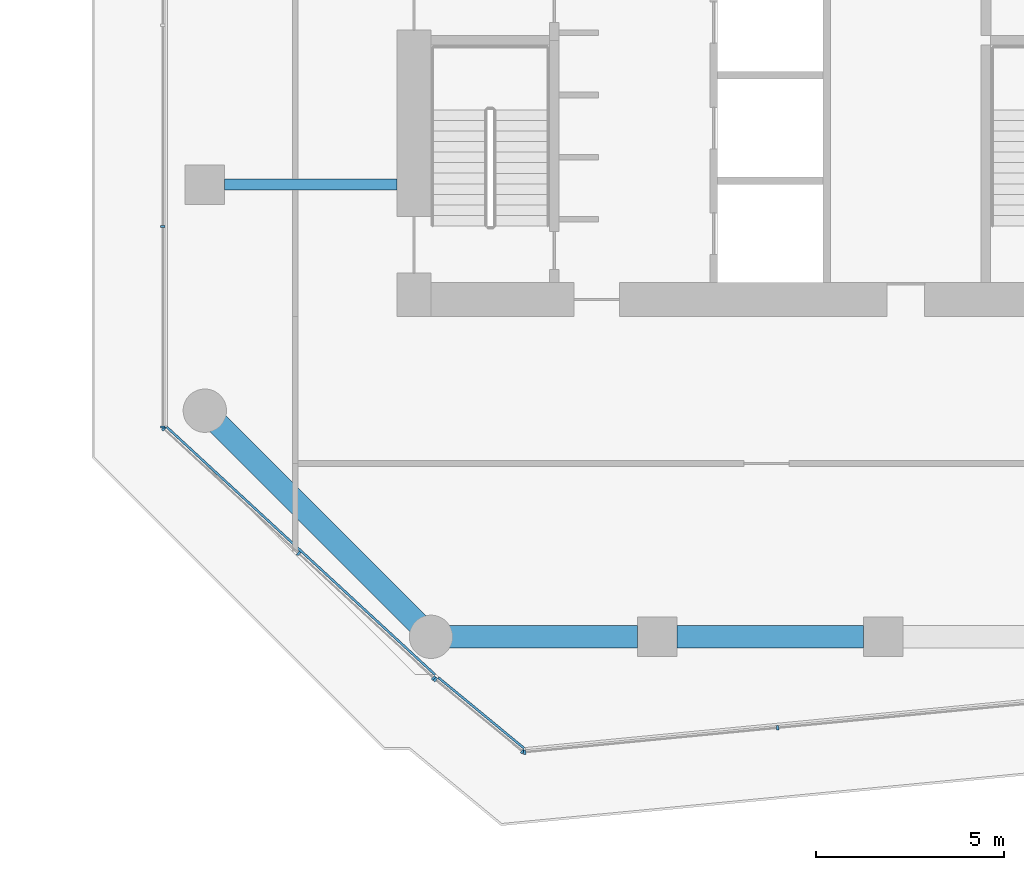
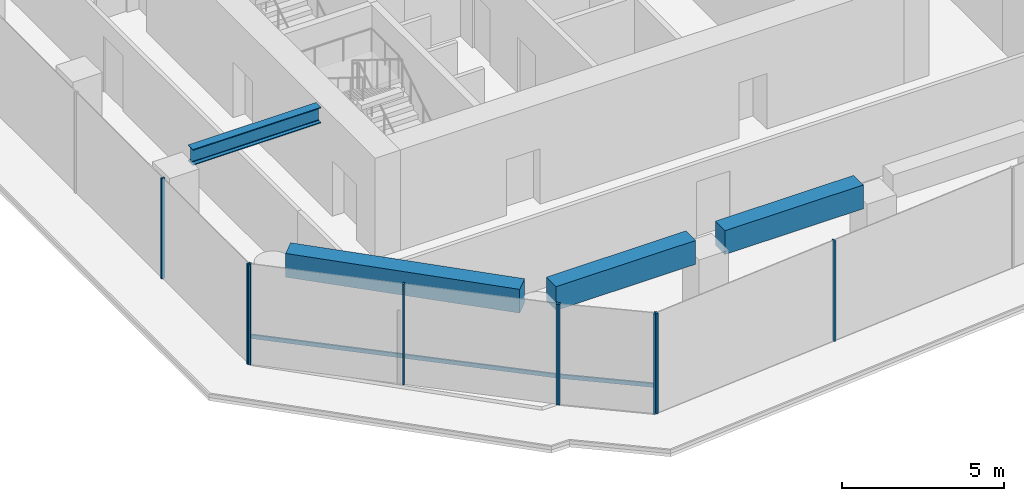
# One storey, part 2 of 30: 11 members, 4 beams, 4 elements without a shape of their own.
"""IFC4 building model written with IfcOpenShell, lengths in metres."""

from ifc_helpers import new_model, si_unit, direction, frame, origin, origin_2d, place, context, subcontext, project, spatial, rectangle, i_section, extrude, material, layer, layer_set, material_profile, profile_set, type_object, element, aggregate, save


model = new_model("IFC4")

# Units and contexts
model_context = context("Model", 3, precision=1e-05, world=origin(), true_north=direction((0.0, 1.0)))
body_context = subcontext(model_context, "Body", "Model", "MODEL_VIEW")
ifc_project = project(units=[si_unit("LENGTHUNIT", "METRE"), si_unit("AREAUNIT", "SQUARE_METRE"), si_unit("VOLUMEUNIT", "CUBIC_METRE"), si_unit("PLANEANGLEUNIT", "RADIAN"), si_unit("MASSUNIT", "GRAM", prefix="KILO")], contexts=[model_context])

# Site, building, storey
site_placement = place(None, origin())
site = spatial("IfcSite", under=ifc_project, at=site_placement, CompositionType="ELEMENT")
building_placement = place(site_placement, origin())
building = spatial("IfcBuilding", under=site, at=building_placement, Name="Welwitschia Terrace Campus", CompositionType="ELEMENT")
storey_placement = place(building_placement, frame((0.0, 0.0, 75.199951171875)))
storey = spatial("IfcBuildingStorey", under=building, at=storey_placement, Name="L17", CompositionType="ELEMENT", Elevation=75.199951171875)

# Curtain wall, members
ifc_material_1 = material(Name="Bronze anodised aluminium", Category="aluminium")
ifc_layer = layer(ifc_material_1, 0.1201171875)
ifc_layer_set = layer_set([ifc_layer], Name="Bronze anodised aluminium")
curtain_wall_type = type_object("IfcCurtainWallType", Name="Curtain wall CW2 tower 6000", PredefinedType="NOTDEFINED", material=ifc_layer_set)
curtain_wall_1_placement = place(storey_placement, origin())
curtain_wall_1 = element("IfcCurtainWall", 1, at=curtain_wall_1_placement, inside=storey, type_object=curtain_wall_type, Name="CW L17.0.0", PredefinedType="NOTDEFINED")
ifc_material_2 = material(Name="Bronze anodised aluminium", Category="aluminium")
ifc_material_profile_1 = material_profile(ifc_material_2, rectangle(XDim=0.1201171875, YDim=0.06005859375, at=origin_2d()))
ifc_profile_set_1 = profile_set([ifc_material_profile_1], Name="Bronze anodised aluminium")
member_type_1 = type_object("IfcMemberType", Name="Mullion 60x120", PredefinedType="MULLION", material=ifc_profile_set_1)
member_1_placement = place(storey_placement, frame((-1.092041015625, 1.518310546875, 0.0), z_axis=(0.0, 0.0, 1.0), x_axis=(0.678224980128, 0.734854323203, 0.0)))
member_1 = element("IfcMember", 2, at=member_1_placement, type_object=member_type_1, Name="Mullion L17.0.0.0", PredefinedType="MULLION", context=body_context, shape_type="SweptSolid", body=[
    extrude(rectangle(XDim=0.1201171875, YDim=0.06005859375, at=origin_2d()), origin(), (0.0, 0.0, 1.0), 3.800048828125),
])
member_2_placement = place(storey_placement, frame((2.489990234375, -1.78759765625, 0.0), z_axis=(0.0, 0.0, 1.0), x_axis=(0.678224980128, 0.734854323203, 0.0)))
member_2 = element("IfcMember", 3, at=member_2_placement, type_object=member_type_1, Name="Mullion L17.0.0.1", PredefinedType="MULLION", context=body_context, shape_type="SweptSolid", body=[
    extrude(rectangle(XDim=0.1201171875, YDim=0.06005859375, at=origin_2d()), origin(), (0.0, 0.0, 1.0), 3.800048828125),
])
member_3_placement = place(storey_placement, frame((6.072021484375, -5.09375, 0.0), z_axis=(0.0, 0.0, 1.0), x_axis=(0.678224980128, 0.734854323203, 0.0)))
member_3 = element("IfcMember", 4, at=member_3_placement, type_object=member_type_1, Name="Mullion L17.0.0.2", PredefinedType="MULLION", context=body_context, shape_type="SweptSolid", body=[
    extrude(rectangle(XDim=0.1201171875, YDim=0.06005859375, at=origin_2d()), origin(), (0.0, 0.0, 1.0), 3.800048828125),
])

curtain_wall_2_placement = place(storey_placement, origin())
curtain_wall_2 = element("IfcCurtainWall", 5, at=curtain_wall_2_placement, inside=storey, type_object=curtain_wall_type, Name="CW L17.1.0", PredefinedType="NOTDEFINED")
member_4_placement = place(storey_placement, frame((6.1171875, -5.133056640625, 0.0), z_axis=(0.0, 0.0, 1.0), x_axis=(0.636078220278, 0.771624583388, 0.0)))
member_4 = element("IfcMember", 6, at=member_4_placement, type_object=member_type_1, Name="Mullion L17.1.0.0", PredefinedType="MULLION", context=body_context, shape_type="SweptSolid", body=[
    extrude(rectangle(XDim=0.1201171875, YDim=0.06005859375, at=origin_2d()), origin(), (0.0, 0.0, 1.0), 3.800048828125),
])
member_5_placement = place(storey_placement, frame((8.433349609375, -7.042236328125, 0.0), z_axis=(0.0, 0.0, 1.0), x_axis=(0.636078220278, 0.771624583388, 0.0)))
member_5 = element("IfcMember", 7, at=member_5_placement, type_object=member_type_1, Name="Mullion L17.1.0.1", PredefinedType="MULLION", context=body_context, shape_type="SweptSolid", body=[
    extrude(rectangle(XDim=0.1201171875, YDim=0.06005859375, at=origin_2d()), origin(), (0.0, 0.0, 1.0), 3.800048828125),
])

curtain_wall_3_placement = place(storey_placement, origin())
curtain_wall_3 = element("IfcCurtainWall", 8, at=curtain_wall_3_placement, inside=storey, type_object=curtain_wall_type, Name="CW L17.2.0", PredefinedType="NOTDEFINED")
member_6_placement = place(storey_placement, frame((8.486328125, -7.05859375, 0.0), z_axis=(0.0, 0.0, 1.0), x_axis=(-0.09584575252, 0.995396198367, 0.0)))
member_6 = element("IfcMember", 9, at=member_6_placement, type_object=member_type_1, Name="Mullion L17.2.0.0", PredefinedType="MULLION", context=body_context, shape_type="SweptSolid", body=[
    extrude(rectangle(XDim=0.1201171875, YDim=0.06005859375, at=origin_2d()), origin(), (0.0, 0.0, 1.0), 3.800048828125),
])
member_7_placement = place(storey_placement, frame((15.19775390625, -6.412353515625, 0.0), z_axis=(0.0, 0.0, 1.0), x_axis=(-0.09584575252, 0.995396198367, 0.0)))
member_7 = element("IfcMember", 10, at=member_7_placement, type_object=member_type_1, Name="Mullion L17.2.0.1", PredefinedType="MULLION", context=body_context, shape_type="SweptSolid", body=[
    extrude(rectangle(XDim=0.1201171875, YDim=0.06005859375, at=origin_2d()), origin(), (0.0, 0.0, 1.0), 3.800048828125),
])
aggregate(curtain_wall_3, [member_6, member_7])

curtain_wall_4_placement = place(storey_placement, origin())
curtain_wall_4 = element("IfcCurtainWall", 11, at=curtain_wall_4_placement, inside=storey, type_object=curtain_wall_type, Name="CW L17.17.0", PredefinedType="NOTDEFINED")
member_8_placement = place(storey_placement, frame((-1.114013671875, 6.88427734375, 0.0), z_axis=(0.0, 0.0, 1.0), x_axis=(1.0, 0.0, 0.0)))
member_8 = element("IfcMember", 12, at=member_8_placement, type_object=member_type_1, Name="Mullion L17.17.0.3", PredefinedType="MULLION", context=body_context, shape_type="SweptSolid", body=[
    extrude(rectangle(XDim=0.1201171875, YDim=0.06005859375, at=origin_2d()), origin(), (0.0, 0.0, 1.0), 3.800048828125),
])
member_9_placement = place(storey_placement, frame((-1.114013671875, 1.568603515625, 0.0), z_axis=(0.0, 0.0, 1.0), x_axis=(1.0, 0.0, 0.0)))
member_9 = element("IfcMember", 13, at=member_9_placement, type_object=member_type_1, Name="Mullion L17.17.0.4", PredefinedType="MULLION", context=body_context, shape_type="SweptSolid", body=[
    extrude(rectangle(XDim=0.1201171875, YDim=0.06005859375, at=origin_2d()), origin(), (0.0, 0.0, 1.0), 3.800048828125),
])
aggregate(curtain_wall_4, [member_8, member_9])

# Beams
ifc_material_3 = material(Name="Steel S355", Category="steel")
ifc_material_profile_2 = material_profile(ifc_material_3, i_section(OverallWidth=0.300048828125, OverallDepth=0.60009765625, WebThickness=0.015380859375, FlangeThickness=0.030029296875, FilletRadius=0.027099609375, at=origin_2d()))
ifc_profile_set_2 = profile_set([ifc_material_profile_2], Name="Steel S355")
beam_type_1 = type_object("IfcBeamType", Name="Primary beam HE 600 B", PredefinedType="BEAM", material=ifc_profile_set_2)
beam_1_placement = place(storey_placement, frame((0.525390625, 8.0, 3.400146484375), z_axis=(1.0, 0.0, 0.0), x_axis=(0.0, 1.0, 0.0)))
element("IfcBeam", 14, at=beam_1_placement, inside=storey, type_object=beam_type_1, Name="Primary beam PB2", PredefinedType="BEAM", context=body_context, shape_type="SweptSolid", body=[
    extrude(i_section(OverallWidth=0.300048828125, OverallDepth=0.60009765625, WebThickness=0.015380859375, FlangeThickness=0.030029296875, FilletRadius=0.027099609375, at=origin_2d()), origin(), (0.0, 0.0, 1.0), 4.57470703125),
])
ifc_material_4 = material(Name="Concrete C60/75", Category="concrete")
ifc_material_profile_3 = material_profile(ifc_material_4, rectangle(XDim=0.60009765625, YDim=0.89990234375, at=origin_2d()))
ifc_profile_set_3 = profile_set([ifc_material_profile_3], Name="Concrete C60/75")
beam_type_2 = type_object("IfcBeamType", Name="Ring spandrel 600x900", PredefinedType="SPANDREL", material=ifc_profile_set_3)
beam_2_placement = place(storey_placement, frame((0.347412109375, 1.652587890625, 3.35009765625), z_axis=(0.707106781187, -0.707106781187, 0.0), x_axis=(0.707106781187, 0.707106781187, 0.0)))
element("IfcBeam", 15, at=beam_2_placement, inside=storey, type_object=beam_type_2, Name="Spandrel SP2", PredefinedType="SPANDREL", context=body_context, shape_type="SweptSolid", body=[
    extrude(rectangle(XDim=0.60009765625, YDim=0.89990234375, at=origin_2d()), origin(), (0.0, 0.0, 1.0), 7.502685546875),
])
beam_3_placement = place(storey_placement, frame((6.491455078125, -4.0, 3.35009765625), z_axis=(1.0, 0.0, 0.0), x_axis=(0.0, 1.0, 0.0)))
element("IfcBeam", 16, at=beam_3_placement, inside=storey, type_object=beam_type_2, Name="Spandrel SP2", PredefinedType="SPANDREL", context=body_context, shape_type="SweptSolid", body=[
    extrude(rectangle(XDim=0.60009765625, YDim=0.89990234375, at=origin_2d()), origin(), (0.0, 0.0, 1.0), 4.983154296875),
])
beam_4_placement = place(storey_placement, frame((12.525390625, -4.0, 3.35009765625), z_axis=(1.0, 0.0, 0.0), x_axis=(0.0, 1.0, 0.0)))
element("IfcBeam", 17, at=beam_4_placement, inside=storey, type_object=beam_type_2, Name="Spandrel SP2", PredefinedType="SPANDREL", context=body_context, shape_type="SweptSolid", body=[
    extrude(rectangle(XDim=0.60009765625, YDim=0.89990234375, at=origin_2d()), origin(), (0.0, 0.0, 1.0), 4.94921875),
])

# Member
ifc_material_5 = material(Name="Bronze anodised aluminium", Category="aluminium")
ifc_material_profile_4 = material_profile(ifc_material_5, rectangle(XDim=0.06005859375, YDim=0.14990234375, at=origin_2d()))
ifc_profile_set_4 = profile_set([ifc_material_profile_4], Name="Bronze anodised aluminium")
member_type_2 = type_object("IfcMemberType", Name="Transom 60x150", PredefinedType="USERDEFINED", material=ifc_profile_set_4)
member_10_placement = place(storey_placement, frame((-1.0087890625, 1.56396484375, 1.0), z_axis=(0.734862372413, -0.678216258735, 0.0), x_axis=(0.678216258735, 0.734862372413, 0.0)))
member_10 = element("IfcMember", 18, at=member_10_placement, type_object=member_type_2, Name="Transom L17.0.0", ObjectType="TRANSOM", PredefinedType="USERDEFINED", context=body_context, shape_type="SweptSolid", body=[
    extrude(rectangle(XDim=0.06005859375, YDim=0.14990234375, at=origin_2d()), origin(), (0.0, 0.0, 1.0), 9.688720703125),
])

aggregate(curtain_wall_1, [member_1, member_2, member_3, member_10])

member_11_placement = place(storey_placement, frame((6.197509765625, -5.082763671875, 1.0), z_axis=(0.771618692097, -0.636085366917, 0.0), x_axis=(0.636085366917, 0.771618692097, 0.0)))
member_11 = element("IfcMember", 19, at=member_11_placement, type_object=member_type_2, Name="Transom L17.1.0", ObjectType="TRANSOM", PredefinedType="USERDEFINED", context=body_context, shape_type="SweptSolid", body=[
    extrude(rectangle(XDim=0.06005859375, YDim=0.14990234375, at=origin_2d()), origin(), (0.0, 0.0, 1.0), 2.941650390625),
])

aggregate(curtain_wall_2, [member_4, member_5, member_11])

save(model, "model.ifc")
